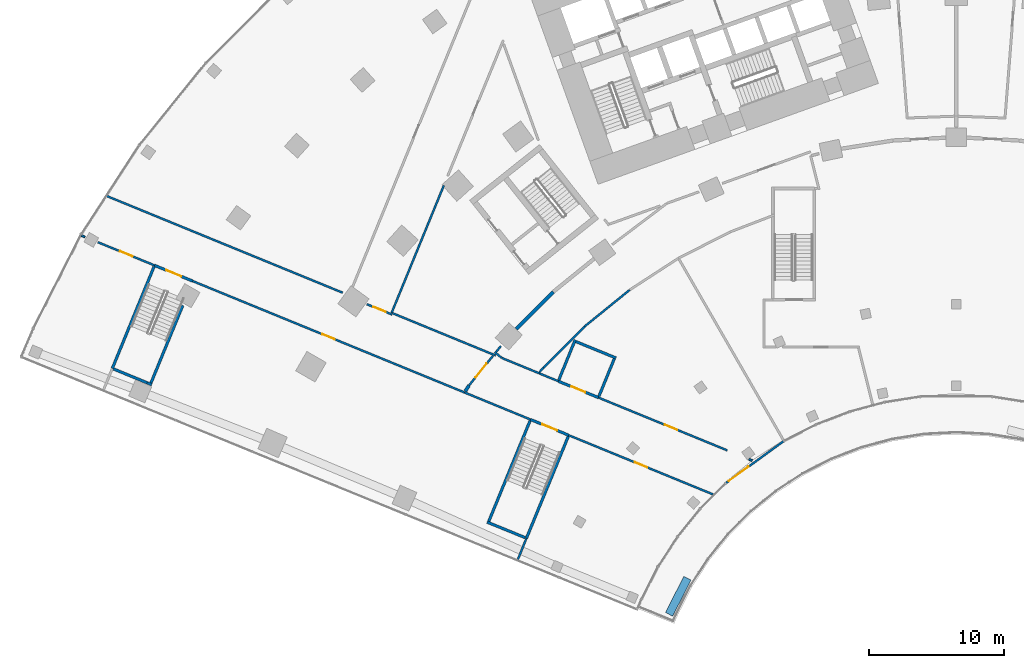
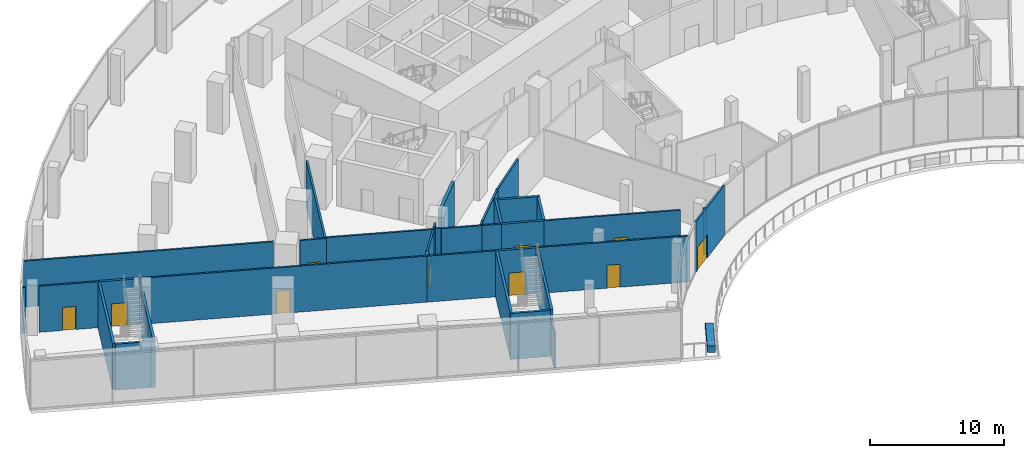
# One storey, part 21 of 39: 37 walls, 10 doors, 10 openings.
"""IFC4 building model written with IfcOpenShell, lengths in metres."""

from ifc_helpers import new_model, si_unit, direction, frame, frame_2d, origin, origin_2d, place, context, subcontext, project, spatial, rectangle, extrude, material, layer, layer_set, type_object, element, fill, save


model = new_model("IFC4")

# Units and contexts
model_context = context("Model", 3, precision=1e-05, world=origin(), true_north=direction((0.0, 1.0)))
body_context = subcontext(model_context, "Body", "Model", "MODEL_VIEW")
ifc_project = project(units=[si_unit("LENGTHUNIT", "METRE"), si_unit("AREAUNIT", "SQUARE_METRE"), si_unit("VOLUMEUNIT", "CUBIC_METRE"), si_unit("PLANEANGLEUNIT", "RADIAN"), si_unit("MASSUNIT", "GRAM", prefix="KILO")], contexts=[model_context])

# Site, building, storey
site_placement = place(None, origin())
site = spatial("IfcSite", under=ifc_project, at=site_placement, CompositionType="ELEMENT")
building_placement = place(site_placement, origin())
building = spatial("IfcBuilding", under=site, at=building_placement, Name="Stone Belt Terrace Tower", CompositionType="ELEMENT")
storey_placement = place(building_placement, frame((0.0, 0.0, 16.199951171875)))
storey = spatial("IfcBuildingStorey", under=building, at=storey_placement, Name="L03", CompositionType="ELEMENT", Elevation=16.199951171875)

# Wall, opening, door
ifc_material_1 = material(Name="Terracotta coloured glazed ceramic", Category="masonry")
ifc_layer_1 = layer(ifc_material_1, 0.14990234375)
ifc_layer_set_1 = layer_set([ifc_layer_1], Name="Ceramic rain-screen wall 150")
wall_type_1 = type_object("IfcWallType", Name="Ceramic rain-screen wall 150", PredefinedType="SOLIDWALL", material=ifc_layer_set_1)
wall_1_placement = place(storey_placement, frame((-16.985107421875, 18.9140625, 0.0), z_axis=(0.0, 0.0, 1.0), x_axis=(0.809013631992, 0.587789880188, 0.0)))
wall_1 = element("IfcWall", 1, at=wall_1_placement, inside=storey, type_object=wall_type_1, Name="Door wall L03", PredefinedType="SOLIDWALL", context=body_context, shape_type="SweptSolid", body=[
    extrude(rectangle(XDim=5.24755859375, YDim=0.14990234375, at=frame_2d((2.623779296875, 0.0))), origin(), (0.0, 0.0, 1.0), 4.60009765625),
])
opening_1_placement = place(wall_1_placement, frame((0.25, 0.0, 0.0)))
opening_1 = element("IfcOpeningElement", 2, at=opening_1_placement, cuts=wall_1, Name="Opening L03-E01", PredefinedType="OPENING", context=body_context, shape_type="SweptSolid", body=[
    extrude(rectangle(XDim=1.800048828125, YDim=2.10009765625, at=frame_2d((0.89990234375, 1.050048828125))), frame((0.0, 0.0849609375, 0.0), z_axis=(0.0, -1.0, 0.0), x_axis=(1.0, 0.0, 0.0)), (0.0, 0.0, 1.0), 0.169921875),
])
ifc_material_2 = material(Name="Anodised aluminium glazed door", Category="aluminium")
door_type_1 = type_object("IfcDoorType", Name="Terrace double door 1800 x 2100", OperationType="DOUBLE_DOOR_DOUBLE_SWING", PredefinedType="DOOR", material=ifc_material_2)
door_1_placement = place(opening_1_placement, origin())
door_1 = element("IfcDoor", 3, at=door_1_placement, inside=storey, type_object=door_type_1, Name="Terrace door L03", OperationType="DOUBLE_DOOR_DOUBLE_SWING", OverallHeight=2.10009765625, OverallWidth=1.800048828125, PredefinedType="DOOR", context=body_context, shape_type="SweptSolid", body=[
    extrude(rectangle(XDim=1.800048828125, YDim=2.10009765625, at=frame_2d((0.89990234375, 1.050048828125))), frame((0.0, 0.02490234375, 0.0), z_axis=(0.0, -1.0, 0.0), x_axis=(1.0, 0.0, 0.0)), (0.0, 0.0, 1.0), 0.050048828125),
])
fill(opening_1, door_1)

# Walls
ifc_material_3 = material(Name="Concrete B30", Category="concrete")
ifc_layer_2 = layer(ifc_material_3, 0.25)
ifc_layer_set_2 = layer_set([ifc_layer_2], Name="Compartment wall 250")
wall_type_2 = type_object("IfcWallType", Name="Compartment wall 250", PredefinedType="SOLIDWALL", material=ifc_layer_set_2)
wall_2_placement = place(storey_placement, frame((-32.4853515625, 30.28466796875, 0.0), z_axis=(0.0, 0.0, 1.0), x_axis=(0.707106781187, 0.707106781187, 0.0)))
element("IfcWall", 4, at=wall_2_placement, inside=storey, type_object=wall_type_2, Name="Compartment wall L03 2", PredefinedType="SOLIDWALL", context=body_context, shape_type="SweptSolid", body=[
    extrude(rectangle(XDim=3.8759765625, YDim=0.25, at=frame_2d((1.93798828125, 0.0))), origin(), (0.0, 0.0, 1.0), 4.199951171875),
])
ifc_material_4 = material(Name="Fire-resistant glazing in steel frame", Category="steel")
ifc_layer_3 = layer(ifc_material_4, 0.25)
ifc_layer_set_3 = layer_set([ifc_layer_3], Name="Glazed compartment fire screen 250")
wall_type_3 = type_object("IfcWallType", Name="Glazed compartment fire screen 250", PredefinedType="PARTITIONING", material=ifc_layer_set_3)
wall_3_placement = place(storey_placement, frame((-36.2451171875, 25.68408203125, 0.0), z_axis=(0.0, 0.0, 1.0), x_axis=(0.547453853433, 0.836835873013, 0.0)))
element("IfcWall", 5, at=wall_3_placement, inside=storey, type_object=wall_type_3, Name="Compartment fire screen L03 1", PredefinedType="PARTITIONING", context=body_context, shape_type="SweptSolid", body=[
    extrude(rectangle(XDim=0.5146484375, YDim=0.25, at=frame_2d((0.25732421875, 0.0))), origin(), (0.0, 0.0, 1.0), 4.199951171875),
])
ifc_material_5 = material(Name="Precast concrete C40/50", Category="concrete")
ifc_layer_4 = layer(ifc_material_5, 0.60009765625)
ifc_layer_set_4 = layer_set([ifc_layer_4], Name="Planter box 600 x 600")
wall_type_4 = type_object("IfcWallType", Name="Planter box 600 x 600", PredefinedType="SOLIDWALL", material=ifc_layer_set_4)
wall_4_placement = place(storey_placement, frame((-20.51513671875, 10.551025390625, 0.0), z_axis=(0.0, 0.0, 1.0), x_axis=(0.45399049974, 0.891006524188, 0.0)))
element("IfcWall", 6, at=wall_4_placement, inside=storey, type_object=wall_type_4, Name="PLANTER L03 1", PredefinedType="SOLIDWALL", context=body_context, shape_type="SweptSolid", body=[
    extrude(rectangle(XDim=3.0, YDim=0.60009765625, at=origin_2d()), origin(), (0.0, 0.0, 1.0), 0.60009765625),
])
ifc_material_6 = material(Name="Reinforced blockwork wall, plastered both faces", Category="masonry")
ifc_layer_5 = layer(ifc_material_6, 0.199951171875)
ifc_layer_set_5 = layer_set([ifc_layer_5], Name="Podium lift shaft wall 200")
wall_type_5 = type_object("IfcWallType", Name="Podium lift shaft wall 200", PredefinedType="SOLIDWALL", material=ifc_layer_set_5)
wall_5_placement = place(storey_placement, frame((-29.332275390625, 26.522705078125, 0.0), z_axis=(0.0, 0.0, 1.0), x_axis=(0.378383111571, 0.92564908085, 0.0)))
element("IfcWall", 7, at=wall_5_placement, inside=storey, type_object=wall_type_5, Name="Podium lift shaft wall 200", PredefinedType="SOLIDWALL", context=body_context, shape_type="SweptSolid", body=[
    extrude(rectangle(XDim=3.19775390625, YDim=0.199951171875, at=frame_2d((1.598876953125, 0.0))), origin(), (0.0, 0.0, 1.0), 4.199951171875),
])

# Wall, opening, door
wall_6_placement = place(storey_placement, frame((-29.369873046875, 26.429931640625, 0.0), z_axis=(0.0, 0.0, 1.0), x_axis=(0.92564908085, -0.378383111571, 0.0)))
wall_6 = element("IfcWall", 8, at=wall_6_placement, inside=storey, type_object=wall_type_5, Name="Podium lift shaft wall 200", PredefinedType="SOLIDWALL", context=body_context, shape_type="SweptSolid", body=[
    extrude(rectangle(XDim=3.19775390625, YDim=0.199951171875, at=frame_2d((1.598876953125, 0.0))), origin(), (0.0, 0.0, 1.0), 4.199951171875),
])
opening_2_placement = place(wall_6_placement, frame((1.048828125, 0.0, 0.0)))
opening_2 = element("IfcOpeningElement", 9, at=opening_2_placement, cuts=wall_6, Name="Opening L03-P09", PredefinedType="OPENING", context=body_context, shape_type="SweptSolid", body=[
    extrude(rectangle(XDim=1.10009765625, YDim=2.10009765625, at=frame_2d((0.550048828125, 1.050048828125))), frame((0.0, 0.10986328125, 0.0), z_axis=(0.0, -1.0, 0.0), x_axis=(1.0, 0.0, 0.0)), (0.0, 0.0, 1.0), 0.219970703125),
])
ifc_material_7 = material(Name="Stainless steel sliding landing door leaf", Category="steel")
door_type_2 = type_object("IfcDoorType", Name="Podium landing door 1100", OperationType="SLIDING_TO_LEFT", PredefinedType="DOOR", material=ifc_material_7)
door_2_placement = place(opening_2_placement, origin())
door_2 = element("IfcDoor", 10, at=door_2_placement, inside=storey, type_object=door_type_2, Name="Podium landing door 1100", OperationType="SLIDING_TO_LEFT", OverallHeight=2.10009765625, OverallWidth=1.10009765625, PredefinedType="DOOR", context=body_context, shape_type="SweptSolid", body=[
    extrude(rectangle(XDim=1.10009765625, YDim=2.10009765625, at=frame_2d((0.550048828125, 1.050048828125))), frame((0.0, 0.02490234375, 0.0), z_axis=(0.0, -1.0, 0.0), x_axis=(1.0, 0.0, 0.0)), (0.0, 0.0, 1.0), 0.050048828125),
])
fill(opening_2, door_2)

# Walls
wall_7_placement = place(storey_placement, frame((-28.0673828125, 29.352294921875, 0.0), z_axis=(0.0, 0.0, 1.0), x_axis=(0.925622338254, -0.378448526124, 0.0)))
element("IfcWall", 11, at=wall_7_placement, inside=storey, type_object=wall_type_5, Name="Podium lift shaft wall 200", PredefinedType="SOLIDWALL", context=body_context, shape_type="SweptSolid", body=[
    extrude(rectangle(XDim=3.19775390625, YDim=0.199951171875, at=frame_2d((1.598876953125, 0.0))), origin(), (0.0, 0.0, 1.0), 4.199951171875),
])
wall_8_placement = place(storey_placement, frame((-26.372314453125, 25.3125, 0.0), z_axis=(0.0, 0.0, 1.0), x_axis=(0.378442575395, 0.925624771237, 0.0)))
element("IfcWall", 12, at=wall_8_placement, inside=storey, type_object=wall_type_5, Name="Podium lift shaft wall 200", PredefinedType="SOLIDWALL", context=body_context, shape_type="SweptSolid", body=[
    extrude(rectangle(XDim=2.997802734375, YDim=0.199951171875, at=frame_2d((1.4990234375, 0.0))), origin(), (0.0, 0.0, 1.0), 4.199951171875),
])
ifc_material_8 = material(Name="Gypsum board on steel stud partition", Category="steel")
ifc_layer_6 = layer(ifc_material_8, 0.14990234375)
ifc_layer_set_6 = layer_set([ifc_layer_6], Name="Podium partition 150")
wall_type_6 = type_object("IfcWallType", Name="Podium partition 150", PredefinedType="PARTITIONING", material=ifc_layer_set_6)
wall_9_placement = place(storey_placement, frame((-64.56005859375, 37.179931640625, 0.0), z_axis=(0.0, 0.0, 1.0), x_axis=(0.92567790555, -0.378312589238, 0.0)))
element("IfcWall", 13, at=wall_9_placement, inside=storey, type_object=wall_type_6, Name="Podium partition 150", PredefinedType="PARTITIONING", context=body_context, shape_type="SweptSolid", body=[
    extrude(rectangle(XDim=0.26708984375, YDim=0.14990234375, at=frame_2d((0.133544921875, 0.0))), origin(), (0.0, 0.0, 1.0), 4.199951171875),
])

# Wall, opening, door
wall_10_placement = place(storey_placement, frame((-63.36962890625, 36.693115234375, 0.0), z_axis=(0.0, 0.0, 1.0), x_axis=(0.925603654014, -0.378494221458, 0.0)))
wall_10 = element("IfcWall", 14, at=wall_10_placement, inside=storey, type_object=wall_type_6, Name="Podium partition 150", PredefinedType="PARTITIONING", context=body_context, shape_type="SweptSolid", body=[
    extrude(rectangle(XDim=4.526123046875, YDim=0.14990234375, at=frame_2d((2.26318359375, 0.0))), origin(), (0.0, 0.0, 1.0), 4.199951171875),
])
opening_3_placement = place(wall_10_placement, frame((1.76318359375, 0.0, 0.0)))
opening_3 = element("IfcOpeningElement", 15, at=opening_3_placement, cuts=wall_10, Name="Opening L03-P21", PredefinedType="OPENING", context=body_context, shape_type="SweptSolid", body=[
    extrude(rectangle(XDim=1.0, YDim=2.10009765625, at=frame_2d((0.5, 1.050048828125))), frame((0.0, 0.0849609375, 0.0), z_axis=(0.0, -1.0, 0.0), x_axis=(1.0, 0.0, 0.0)), (0.0, 0.0, 1.0), 0.169921875),
])
ifc_material_9 = material(Name="Steel framed door leaf", Category="steel")
door_type_3 = type_object("IfcDoorType", Name="Podium door single 1000", OperationType="SINGLE_SWING_LEFT", PredefinedType="DOOR", material=ifc_material_9)
door_3_placement = place(opening_3_placement, origin())
door_3 = element("IfcDoor", 16, at=door_3_placement, inside=storey, type_object=door_type_3, Name="Podium door single 1000", OperationType="SINGLE_SWING_LEFT", OverallHeight=2.10009765625, OverallWidth=1.0, PredefinedType="DOOR", context=body_context, shape_type="SweptSolid", body=[
    extrude(rectangle(XDim=1.0, YDim=2.10009765625, at=frame_2d((0.5, 1.050048828125))), frame((0.0, 0.02490234375, 0.0), z_axis=(0.0, -1.0, 0.0), x_axis=(1.0, 0.0, 0.0)), (0.0, 0.0, 1.0), 0.050048828125),
])
fill(opening_3, door_3)

# Wall
wall_11_placement = place(storey_placement, frame((-62.77001953125, 40.126953125, 0.0), z_axis=(0.0, 0.0, 1.0), x_axis=(0.925299264419, -0.379237750318, 0.0)))
element("IfcWall", 17, at=wall_11_placement, inside=storey, type_object=wall_type_6, Name="Podium partition 150", PredefinedType="PARTITIONING", context=body_context, shape_type="SweptSolid", body=[
    extrude(rectangle(XDim=18.887451171875, YDim=0.14990234375, at=frame_2d((9.44384765625, 0.0))), origin(), (0.0, 0.0, 1.0), 4.199951171875),
])

# Wall, opening, door
wall_12_placement = place(storey_placement, frame((-56.360107421875, 33.820068359375, 0.0), z_axis=(0.0, 0.0, 1.0), x_axis=(0.925327227709, -0.379169515733, 0.0)))
wall_12 = element("IfcWall", 18, at=wall_12_placement, inside=storey, type_object=wall_type_6, Name="Podium partition 150", PredefinedType="PARTITIONING", context=body_context, shape_type="SweptSolid", body=[
    extrude(rectangle(XDim=21.678955078125, YDim=0.14990234375, at=frame_2d((10.83935546875, 0.0))), origin(), (0.0, 0.0, 1.0), 4.199951171875),
])
opening_4_placement = place(wall_12_placement, frame((10.33935546875, 0.0, 0.0)))
opening_4 = element("IfcOpeningElement", 19, at=opening_4_placement, cuts=wall_12, Name="Opening L03-P20", PredefinedType="OPENING", context=body_context, shape_type="SweptSolid", body=[
    extrude(rectangle(XDim=1.0, YDim=2.10009765625, at=frame_2d((0.5, 1.050048828125))), frame((0.0, 0.0849609375, 0.0), z_axis=(0.0, -1.0, 0.0), x_axis=(1.0, 0.0, 0.0)), (0.0, 0.0, 1.0), 0.169921875),
])
door_4_placement = place(opening_4_placement, origin())
door_4 = element("IfcDoor", 20, at=door_4_placement, inside=storey, type_object=door_type_3, Name="Podium door single 1000", OperationType="SINGLE_SWING_RIGHT", OverallHeight=2.10009765625, OverallWidth=1.0, PredefinedType="DOOR", context=body_context, shape_type="SweptSolid", body=[
    extrude(rectangle(XDim=1.0, YDim=2.10009765625, at=frame_2d((0.5, 1.050048828125))), frame((0.0, 0.02490234375, 0.0), z_axis=(0.0, -1.0, 0.0), x_axis=(1.0, 0.0, 0.0)), (0.0, 0.0, 1.0), 0.050048828125),
])
fill(opening_4, door_4)

wall_13_placement = place(storey_placement, frame((-43.498779296875, 32.112548828125, 0.0), z_axis=(0.0, 0.0, 1.0), x_axis=(0.925401628823, -0.378987896077, 0.0)))
wall_13 = element("IfcWall", 21, at=wall_13_placement, inside=storey, type_object=wall_type_6, Name="Podium partition 150", PredefinedType="PARTITIONING", context=body_context, shape_type="SweptSolid", body=[
    extrude(rectangle(XDim=2.008056640625, YDim=0.14990234375, at=frame_2d((1.00390625, 0.0))), origin(), (0.0, 0.0, 1.0), 4.199951171875),
])
opening_5_placement = place(wall_13_placement, frame((0.504150390625, 0.0, 0.0)))
opening_5 = element("IfcOpeningElement", 22, at=opening_5_placement, cuts=wall_13, Name="Opening L03-P40", PredefinedType="OPENING", context=body_context, shape_type="SweptSolid", body=[
    extrude(rectangle(XDim=1.0, YDim=2.10009765625, at=frame_2d((0.5, 1.050048828125))), frame((0.0, 0.0849609375, 0.0), z_axis=(0.0, -1.0, 0.0), x_axis=(1.0, 0.0, 0.0)), (0.0, 0.0, 1.0), 0.169921875),
])
door_5_placement = place(opening_5_placement, origin())
door_5 = element("IfcDoor", 23, at=door_5_placement, inside=storey, type_object=door_type_3, Name="Podium door single 1000", OperationType="SINGLE_SWING_RIGHT", OverallHeight=2.10009765625, OverallWidth=1.0, PredefinedType="DOOR", context=body_context, shape_type="SweptSolid", body=[
    extrude(rectangle(XDim=1.0, YDim=2.10009765625, at=frame_2d((0.5, 1.050048828125))), frame((0.0, 0.02490234375, 0.0), z_axis=(0.0, -1.0, 0.0), x_axis=(1.0, 0.0, 0.0)), (0.0, 0.0, 1.0), 0.050048828125),
])
fill(opening_5, door_5)

# Walls
wall_14_placement = place(storey_placement, frame((-41.679931640625, 31.469970703125, 0.0), z_axis=(0.0, 0.0, 1.0), x_axis=(0.379243967023, 0.925296716452, 0.0)))
element("IfcWall", 24, at=wall_14_placement, inside=storey, type_object=wall_type_6, Name="Podium partition 150", PredefinedType="PARTITIONING", context=body_context, shape_type="SweptSolid", body=[
    extrude(rectangle(XDim=10.171875, YDim=0.14990234375, at=frame_2d((5.0859375, 0.0))), origin(), (0.0, 0.0, 1.0), 4.199951171875),
])
wall_15_placement = place(storey_placement, frame((-41.60595703125, 31.44970703125, 0.0), z_axis=(0.0, 0.0, 1.0), x_axis=(0.925113597394, -0.379690442224, 0.0)))
element("IfcWall", 25, at=wall_15_placement, inside=storey, type_object=wall_type_6, Name="Podium partition 150", PredefinedType="PARTITIONING", context=body_context, shape_type="SweptSolid", body=[
    extrude(rectangle(XDim=8.231689453125, YDim=0.14990234375, at=frame_2d((4.11572265625, 0.0))), origin(), (0.0, 0.0, 1.0), 4.199951171875),
])
wall_16_placement = place(storey_placement, frame((-36.300048828125, 25.60009765625, 0.0), z_axis=(0.0, 0.0, 1.0), x_axis=(0.92530860032, -0.379214970925, 0.0)))
element("IfcWall", 26, at=wall_16_placement, inside=storey, type_object=wall_type_6, Name="Podium partition 150", PredefinedType="PARTITIONING", context=body_context, shape_type="SweptSolid", body=[
    extrude(rectangle(XDim=5.274169921875, YDim=0.14990234375, at=frame_2d((2.63720703125, 0.0))), origin(), (0.0, 0.0, 1.0), 4.199951171875),
])

# Wall, opening, door
wall_17_placement = place(storey_placement, frame((-35.95751953125, 26.123046875, 0.0), z_axis=(0.0, 0.0, 1.0), x_axis=(0.629303430663, 0.777159695401, 0.0)))
wall_17 = element("IfcWall", 27, at=wall_17_placement, inside=storey, type_object=wall_type_6, Name="Podium partition 150", PredefinedType="PARTITIONING", context=body_context, shape_type="SweptSolid", body=[
    extrude(rectangle(XDim=2.8037109375, YDim=0.14990234375, at=frame_2d((1.40185546875, 0.0))), origin(), (0.0, 0.0, 1.0), 4.199951171875),
])
opening_6_placement = place(wall_17_placement, frame((0.762939453125, 0.0, 0.0)))
opening_6 = element("IfcOpeningElement", 28, at=opening_6_placement, cuts=wall_17, Name="Opening L03-P42", PredefinedType="OPENING", context=body_context, shape_type="SweptSolid", body=[
    extrude(rectangle(XDim=1.300048828125, YDim=2.10009765625, at=frame_2d((0.64990234375, 1.050048828125))), frame((0.0, 0.0849609375, 0.0), z_axis=(0.0, -1.0, 0.0), x_axis=(1.0, 0.0, 0.0)), (0.0, 0.0, 1.0), 0.169921875),
])
ifc_material_10 = material(Name="Steel framed fire door leaf", Category="steel")
door_type_4 = type_object("IfcDoorType", Name="Fire door 1300 x 2100 EI 60", OperationType="SINGLE_SWING_LEFT", PredefinedType="DOOR", material=ifc_material_10)
door_6_placement = place(opening_6_placement, origin())
door_6 = element("IfcDoor", 29, at=door_6_placement, inside=storey, type_object=door_type_4, Name="Fire door 1300 x 2100 EI 60", OperationType="SINGLE_SWING_LEFT", OverallHeight=2.10009765625, OverallWidth=1.300048828125, PredefinedType="DOOR", context=body_context, shape_type="SweptSolid", body=[
    extrude(rectangle(XDim=1.300048828125, YDim=2.10009765625, at=frame_2d((0.64990234375, 1.050048828125))), frame((0.0, 0.02490234375, 0.0), z_axis=(0.0, -1.0, 0.0), x_axis=(1.0, 0.0, 0.0)), (0.0, 0.0, 1.0), 0.050048828125),
])
fill(opening_6, door_6)

# Walls
wall_18_placement = place(storey_placement, frame((-34.067626953125, 28.577880859375, 0.0), z_axis=(0.0, 0.0, 1.0), x_axis=(0.769636344918, -0.638482495125, 0.0)))
element("IfcWall", 30, at=wall_18_placement, inside=storey, type_object=wall_type_6, Name="Podium partition 150", PredefinedType="PARTITIONING", context=body_context, shape_type="SweptSolid", body=[
    extrude(rectangle(XDim=0.649658203125, YDim=0.14990234375, at=frame_2d((0.32470703125, 0.0))), origin(), (0.0, 0.0, 1.0), 4.199951171875),
])
wall_19_placement = place(storey_placement, frame((-33.962890625, 28.58837890625, 0.0), z_axis=(0.0, 0.0, 1.0), x_axis=(0.629643319235, 0.776884348242, 0.0)))
element("IfcWall", 31, at=wall_19_placement, inside=storey, type_object=wall_type_6, Name="Podium partition 150", PredefinedType="PARTITIONING", context=body_context, shape_type="SweptSolid", body=[
    extrude(rectangle(XDim=0.55224609375, YDim=0.14990234375, at=frame_2d((0.276123046875, 0.0))), origin(), (0.0, 0.0, 1.0), 4.199951171875),
])
wall_20_placement = place(storey_placement, frame((-33.550048828125, 28.14990234375, 0.0), z_axis=(0.0, 0.0, 1.0), x_axis=(0.925196183259, -0.379489159902, 0.0)))
element("IfcWall", 32, at=wall_20_placement, inside=storey, type_object=wall_type_6, Name="Podium partition 150", PredefinedType="PARTITIONING", context=body_context, shape_type="SweptSolid", body=[
    extrude(rectangle(XDim=3.030029296875, YDim=0.14990234375, at=frame_2d((1.51513671875, 0.0))), origin(), (0.0, 0.0, 1.0), 4.199951171875),
])
wall_21_placement = place(storey_placement, frame((-32.360107421875, 13.260009765625, 0.0), z_axis=(0.0, 0.0, 1.0), x_axis=(0.375412514618, 0.926857833688, 0.0)))
element("IfcWall", 33, at=wall_21_placement, inside=storey, type_object=wall_type_6, Name="Podium partition 150", PredefinedType="PARTITIONING", context=body_context, shape_type="SweptSolid", body=[
    extrude(rectangle(XDim=1.70458984375, YDim=0.14990234375, at=frame_2d((0.852294921875, 0.0))), origin(), (0.0, 0.0, 1.0), 3.300048828125),
])
wall_22_placement = place(storey_placement, frame((-30.746826171875, 26.995849609375, 0.0), z_axis=(0.0, 0.0, 1.0), x_axis=(0.924905522365, -0.380197020898, 0.0)))
element("IfcWall", 34, at=wall_22_placement, inside=storey, type_object=wall_type_6, Name="Podium partition 150", PredefinedType="PARTITIONING", context=body_context, shape_type="SweptSolid", body=[
    extrude(rectangle(XDim=1.488525390625, YDim=0.14990234375, at=frame_2d((0.744140625, 0.0))), origin(), (0.0, 0.0, 1.0), 4.199951171875),
])
wall_23_placement = place(storey_placement, frame((-30.767822265625, 27.089599609375, 0.0), z_axis=(0.0, 0.0, 1.0), x_axis=(0.65858148034, 0.752509424362, 0.0)))
element("IfcWall", 35, at=wall_23_placement, inside=storey, type_object=wall_type_6, Name="Podium partition 150", PredefinedType="PARTITIONING", context=body_context, shape_type="SweptSolid", body=[
    extrude(rectangle(XDim=0.44970703125, YDim=0.14990234375, at=frame_2d((0.224853515625, 0.0))), origin(), (0.0, 0.0, 1.0), 4.199951171875),
])
wall_24_placement = place(storey_placement, frame((-30.46826171875, 27.431884765625, 0.0), z_axis=(0.0, 0.0, 1.0), x_axis=(0.707106781187, 0.707106781187, 0.0)))
element("IfcWall", 36, at=wall_24_placement, inside=storey, type_object=wall_type_6, Name="Podium partition 150", PredefinedType="PARTITIONING", context=body_context, shape_type="SweptSolid", body=[
    extrude(rectangle(XDim=4.292724609375, YDim=0.14990234375, at=frame_2d((2.146484375, 0.0))), origin(), (0.0, 0.0, 1.0), 4.199951171875),
])

# Wall, opening, door
wall_25_placement = place(storey_placement, frame((-28.60009765625, 22.43994140625, 0.0), z_axis=(0.0, 0.0, 1.0), x_axis=(0.925276002208, -0.379294502646, 0.0)))
wall_25 = element("IfcWall", 37, at=wall_25_placement, inside=storey, type_object=wall_type_6, Name="Podium partition 150", PredefinedType="PARTITIONING", context=body_context, shape_type="SweptSolid", body=[
    extrude(rectangle(XDim=11.52099609375, YDim=0.14990234375, at=frame_2d((5.760498046875, 0.0))), origin(), (0.0, 0.0, 1.0), 4.199951171875),
])
opening_7_placement = place(wall_25_placement, frame((5.260498046875, 0.0, 0.0)))
opening_7 = element("IfcOpeningElement", 38, at=opening_7_placement, cuts=wall_25, Name="Opening L03-P19", PredefinedType="OPENING", context=body_context, shape_type="SweptSolid", body=[
    extrude(rectangle(XDim=1.0, YDim=2.10009765625, at=frame_2d((0.5, 1.050048828125))), frame((0.0, 0.0849609375, 0.0), z_axis=(0.0, -1.0, 0.0), x_axis=(1.0, 0.0, 0.0)), (0.0, 0.0, 1.0), 0.169921875),
])
door_7_placement = place(opening_7_placement, origin())
door_7 = element("IfcDoor", 39, at=door_7_placement, inside=storey, type_object=door_type_3, Name="Podium door single 1000", OperationType="SINGLE_SWING_LEFT", OverallHeight=2.10009765625, OverallWidth=1.0, PredefinedType="DOOR", context=body_context, shape_type="SweptSolid", body=[
    extrude(rectangle(XDim=1.0, YDim=2.10009765625, at=frame_2d((0.5, 1.050048828125))), frame((0.0, 0.02490234375, 0.0), z_axis=(0.0, -1.0, 0.0), x_axis=(1.0, 0.0, 0.0)), (0.0, 0.0, 1.0), 0.050048828125),
])
fill(opening_7, door_7)

# Wall
wall_26_placement = place(storey_placement, frame((-27.427001953125, 30.472412109375, 0.0), z_axis=(0.0, 0.0, 1.0), x_axis=(0.776761028943, 0.629795446089, 0.0)))
element("IfcWall", 40, at=wall_26_placement, inside=storey, type_object=wall_type_6, Name="Podium partition 150", PredefinedType="PARTITIONING", context=body_context, shape_type="SweptSolid", body=[
    extrude(rectangle(XDim=4.279296875, YDim=0.14990234375, at=frame_2d((2.1396484375, 0.0))), origin(), (0.0, 0.0, 1.0), 4.199951171875),
])

# Wall, opening, door
wall_27_placement = place(storey_placement, frame((-26.409912109375, 25.219970703125, 0.0), z_axis=(0.0, 0.0, 1.0), x_axis=(0.925354817389, -0.379102178752, 0.0)))
wall_27 = element("IfcWall", 41, at=wall_27_placement, inside=storey, type_object=wall_type_6, Name="Podium partition 150", PredefinedType="PARTITIONING", context=body_context, shape_type="SweptSolid", body=[
    extrude(rectangle(XDim=10.28857421875, YDim=0.14990234375, at=frame_2d((5.144287109375, 0.0))), origin(), (0.0, 0.0, 1.0), 4.199951171875),
])
opening_8_placement = place(wall_27_placement, frame((5.294189453125, 0.0, 0.0)))
opening_8 = element("IfcOpeningElement", 42, at=opening_8_placement, cuts=wall_27, Name="Opening L03-P25", PredefinedType="OPENING", context=body_context, shape_type="SweptSolid", body=[
    extrude(rectangle(XDim=1.0, YDim=2.10009765625, at=frame_2d((0.5, 1.050048828125))), frame((0.0, 0.0849609375, 0.0), z_axis=(0.0, -1.0, 0.0), x_axis=(1.0, 0.0, 0.0)), (0.0, 0.0, 1.0), 0.169921875),
])
door_8_placement = place(opening_8_placement, origin())
door_8 = element("IfcDoor", 43, at=door_8_placement, inside=storey, type_object=door_type_3, Name="Podium door single 1000", OperationType="SINGLE_SWING_LEFT", OverallHeight=2.10009765625, OverallWidth=1.0, PredefinedType="DOOR", context=body_context, shape_type="SweptSolid", body=[
    extrude(rectangle(XDim=1.0, YDim=2.10009765625, at=frame_2d((0.5, 1.050048828125))), frame((0.0, 0.02490234375, 0.0), z_axis=(0.0, -1.0, 0.0), x_axis=(1.0, 0.0, 0.0)), (0.0, 0.0, 1.0), 0.050048828125),
])
fill(opening_8, door_8)

# Walls
wall_28_placement = place(storey_placement, frame((-15.297607421875, 20.66748046875, 0.0), z_axis=(0.0, 0.0, 1.0), x_axis=(0.925228539946, -0.379410264582, 0.0)))
element("IfcWall", 44, at=wall_28_placement, inside=storey, type_object=wall_type_6, Name="Podium partition 150", PredefinedType="PARTITIONING", context=body_context, shape_type="SweptSolid", body=[
    extrude(rectangle(XDim=0.2568359375, YDim=0.14990234375, at=frame_2d((0.12841796875, 0.0))), origin(), (0.0, 0.0, 1.0), 4.199951171875),
])
ifc_layer_7 = layer(ifc_material_3, 0.199951171875)
ifc_layer_set_7 = layer_set([ifc_layer_7], Name="Podium stair and shaft wall 200")
wall_type_7 = type_object("IfcWallType", Name="Podium stair and shaft wall 200", PredefinedType="SOLIDWALL", material=ifc_layer_set_7)
wall_29_placement = place(storey_placement, frame((-62.20751953125, 27.33203125, 0.0), z_axis=(0.0, 0.0, 1.0), x_axis=(0.924825245406, -0.380392252102, 0.0)))
element("IfcWall", 45, at=wall_29_placement, inside=storey, type_object=wall_type_7, Name="Podium stair and shaft wall 200", PredefinedType="SOLIDWALL", context=body_context, shape_type="SweptSolid", body=[
    extrude(rectangle(XDim=2.678955078125, YDim=0.199951171875, at=frame_2d((1.33935546875, 0.0))), origin(), (0.0, 0.0, 1.0), 4.199951171875),
])
wall_30_placement = place(storey_placement, frame((-59.72998046875, 26.31298828125, 0.0), z_axis=(0.0, 0.0, 1.0), x_axis=(0.924841834944, -0.380351916438, 0.0)))
element("IfcWall", 46, at=wall_30_placement, inside=storey, type_object=wall_type_7, Name="Podium stair and shaft wall 200", PredefinedType="SOLIDWALL", context=body_context, shape_type="SweptSolid", body=[
    extrude(rectangle(XDim=0.370361328125, YDim=0.199951171875, at=frame_2d((0.18505859375, 0.0))), origin(), (0.0, 0.0, 1.0), 4.199951171875),
])
wall_31_placement = place(storey_placement, frame((-62.300048828125, 27.3701171875, 0.0), z_axis=(0.0, 0.0, 1.0), x_axis=(0.379345306329, 0.925255174839, 0.0)))
element("IfcWall", 47, at=wall_31_placement, inside=storey, type_object=wall_type_7, Name="Podium stair and shaft wall 200", PredefinedType="SOLIDWALL", context=body_context, shape_type="SweptSolid", body=[
    extrude(rectangle(XDim=8.12451171875, YDim=0.199951171875, at=frame_2d((4.062255859375, 0.0))), origin(), (0.0, 0.0, 1.0), 4.199951171875),
])
wall_32_placement = place(storey_placement, frame((-59.442138671875, 26.302490234375, 0.0), z_axis=(0.0, 0.0, 1.0), x_axis=(0.37933470683, 0.925259520456, 0.0)))
element("IfcWall", 48, at=wall_32_placement, inside=storey, type_object=wall_type_7, Name="Podium stair and shaft wall 200", PredefinedType="SOLIDWALL", context=body_context, shape_type="SweptSolid", body=[
    extrude(rectangle(XDim=6.18896484375, YDim=0.199951171875, at=frame_2d((3.094482421875, 0.0))), origin(), (0.0, 0.0, 1.0), 4.199951171875),
])

# Wall, opening, door
wall_33_placement = place(storey_placement, frame((-59.179931640625, 34.97998046875, 0.0), z_axis=(0.0, 0.0, 1.0), x_axis=(0.924815674246, -0.380415521068, 0.0)))
wall_33 = element("IfcWall", 49, at=wall_33_placement, inside=storey, type_object=wall_type_7, Name="Podium stair and shaft wall 200", PredefinedType="SOLIDWALL", context=body_context, shape_type="SweptSolid", body=[
    extrude(rectangle(XDim=3.049072265625, YDim=0.199951171875, at=frame_2d((1.5244140625, 0.0))), origin(), (0.0, 0.0, 1.0), 4.199951171875),
])
opening_9_placement = place(wall_33_placement, frame((0.924560546875, 0.0, 0.0)))
opening_9 = element("IfcOpeningElement", 50, at=opening_9_placement, cuts=wall_33, Name="Opening L03-P02", PredefinedType="OPENING", context=body_context, shape_type="SweptSolid", body=[
    extrude(rectangle(XDim=1.199951171875, YDim=2.10009765625, at=frame_2d((0.60009765625, 1.050048828125))), frame((0.0, 0.10986328125, 0.0), z_axis=(0.0, -1.0, 0.0), x_axis=(1.0, 0.0, 0.0)), (0.0, 0.0, 1.0), 0.219970703125),
])
door_type_5 = type_object("IfcDoorType", Name="Podium door fire stair 1200", OperationType="SINGLE_SWING_LEFT", PredefinedType="DOOR", material=ifc_material_9)
door_9_placement = place(opening_9_placement, origin())
door_9 = element("IfcDoor", 51, at=door_9_placement, inside=storey, type_object=door_type_5, Name="Podium door fire stair 1200", OperationType="SINGLE_SWING_RIGHT", OverallHeight=2.10009765625, OverallWidth=1.199951171875, PredefinedType="DOOR", context=body_context, shape_type="SweptSolid", body=[
    extrude(rectangle(XDim=1.199951171875, YDim=2.10009765625, at=frame_2d((0.60009765625, 1.050048828125))), frame((0.0, 0.02490234375, 0.0), z_axis=(0.0, -1.0, 0.0), x_axis=(1.0, 0.0, 0.0)), (0.0, 0.0, 1.0), 0.050048828125),
])
fill(opening_9, door_9)

# Walls
wall_34_placement = place(storey_placement, frame((-34.632568359375, 16.02783203125, 0.0), z_axis=(0.0, 0.0, 1.0), x_axis=(0.92595120991, -0.377643160756, 0.0)))
element("IfcWall", 52, at=wall_34_placement, inside=storey, type_object=wall_type_7, Name="Podium stair and shaft wall 200", PredefinedType="SOLIDWALL", context=body_context, shape_type="SweptSolid", body=[
    extrude(rectangle(XDim=3.045654296875, YDim=0.199951171875, at=frame_2d((1.52294921875, 0.0))), origin(), (0.0, 0.0, 1.0), 4.199951171875),
])
wall_35_placement = place(storey_placement, frame((-34.502197265625, 16.08251953125, 0.0), z_axis=(0.0, 0.0, 1.0), x_axis=(0.379344686309, 0.925255429041, 0.0)))
element("IfcWall", 53, at=wall_35_placement, inside=storey, type_object=wall_type_7, Name="Podium stair and shaft wall 200", PredefinedType="SOLIDWALL", context=body_context, shape_type="SweptSolid", body=[
    extrude(rectangle(XDim=8.02490234375, YDim=0.199951171875, at=frame_2d((4.012451171875, 0.0))), origin(), (0.0, 0.0, 1.0), 4.199951171875),
])
wall_36_placement = place(storey_placement, frame((-31.719970703125, 14.840087890625, 0.0), z_axis=(0.0, 0.0, 1.0), x_axis=(0.379778190266, 0.925077578476, 0.0)))
element("IfcWall", 54, at=wall_36_placement, inside=storey, type_object=wall_type_7, Name="Podium stair and shaft wall 200", PredefinedType="SOLIDWALL", context=body_context, shape_type="SweptSolid", body=[
    extrude(rectangle(XDim=8.115234375, YDim=0.199951171875, at=frame_2d((4.0576171875, 0.0))), origin(), (0.0, 0.0, 1.0), 4.199951171875),
])

# Wall, opening, door
wall_37_placement = place(storey_placement, frame((-31.419921875, 23.60009765625, 0.0), z_axis=(0.0, 0.0, 1.0), x_axis=(0.924787502584, -0.380484001063, 0.0)))
wall_37 = element("IfcWall", 55, at=wall_37_placement, inside=storey, type_object=wall_type_7, Name="Podium stair and shaft wall 200", PredefinedType="SOLIDWALL", context=body_context, shape_type="SweptSolid", body=[
    extrude(rectangle(XDim=3.049072265625, YDim=0.199951171875, at=frame_2d((1.5244140625, 0.0))), origin(), (0.0, 0.0, 1.0), 4.199951171875),
])
opening_10_placement = place(wall_37_placement, frame((0.924560546875, 0.0, 0.0)))
opening_10 = element("IfcOpeningElement", 56, at=opening_10_placement, cuts=wall_37, Name="Opening L03-P01", PredefinedType="OPENING", context=body_context, shape_type="SweptSolid", body=[
    extrude(rectangle(XDim=1.199951171875, YDim=2.10009765625, at=frame_2d((0.60009765625, 1.050048828125))), frame((0.0, 0.10986328125, 0.0), z_axis=(0.0, -1.0, 0.0), x_axis=(1.0, 0.0, 0.0)), (0.0, 0.0, 1.0), 0.219970703125),
])
door_10_placement = place(opening_10_placement, origin())
door_10 = element("IfcDoor", 57, at=door_10_placement, inside=storey, type_object=door_type_5, Name="Podium door fire stair 1200", OperationType="SINGLE_SWING_LEFT", OverallHeight=2.10009765625, OverallWidth=1.199951171875, PredefinedType="DOOR", context=body_context, shape_type="SweptSolid", body=[
    extrude(rectangle(XDim=1.199951171875, YDim=2.10009765625, at=frame_2d((0.60009765625, 1.050048828125))), frame((0.0, 0.02490234375, 0.0), z_axis=(0.0, -1.0, 0.0), x_axis=(1.0, 0.0, 0.0)), (0.0, 0.0, 1.0), 0.050048828125),
])
fill(opening_10, door_10)

save(model, "model.ifc")
